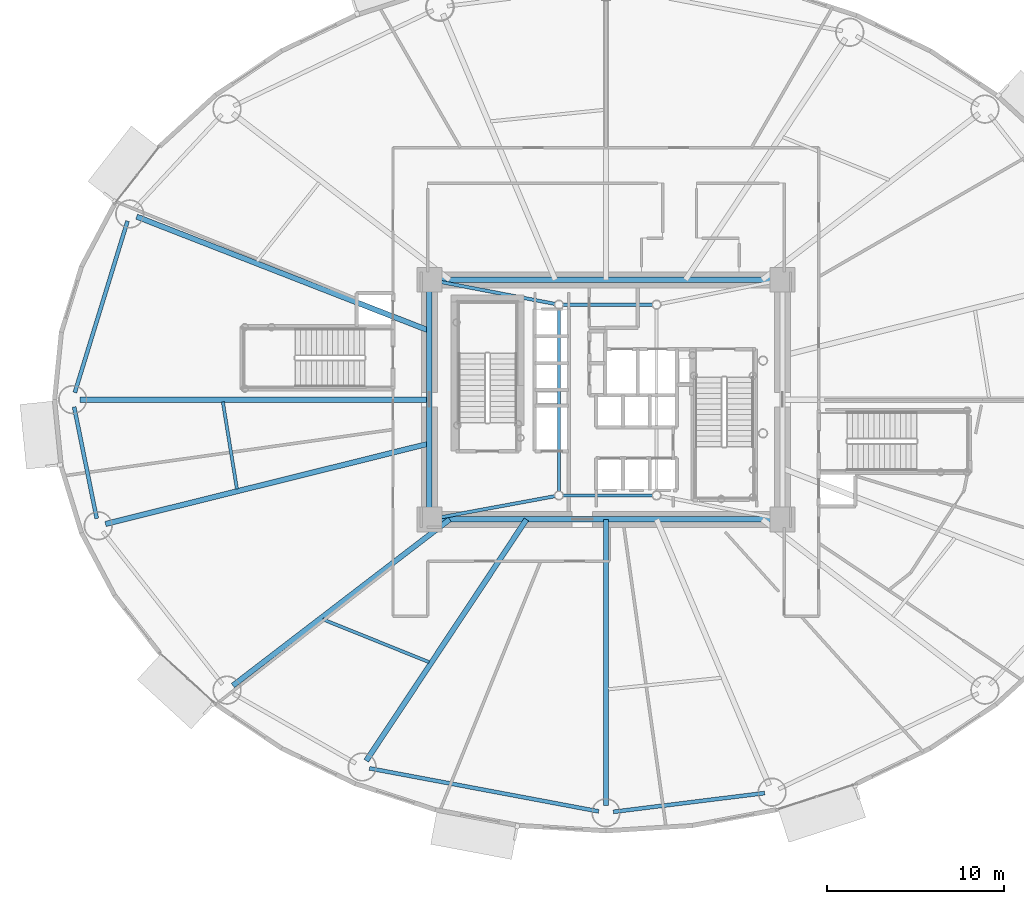
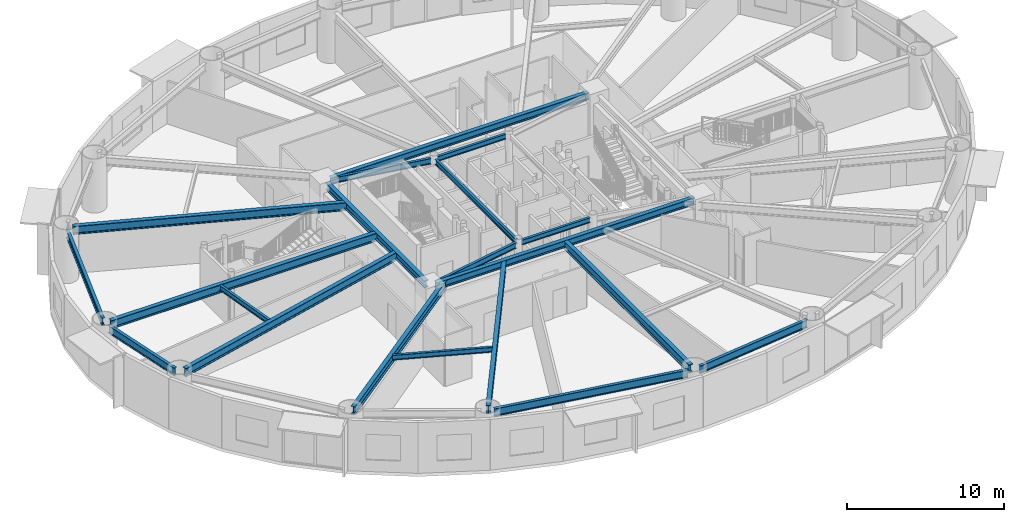
# One storey, part 6 of 32: 20 beams.
"""IFC4 building model written with IfcOpenShell, lengths in metres."""

from ifc_helpers import new_model, si_unit, direction, frame, origin, origin_2d, place, context, subcontext, project, spatial, i_section, extrude, material, material_profile, profile_set, type_object, element, save


model = new_model("IFC4")

# Units and contexts
model_context = context("Model", 3, precision=1e-05, world=origin(), true_north=direction((0.0, 1.0)))
body_context = subcontext(model_context, "Body", "Model", "MODEL_VIEW")
ifc_project = project(units=[si_unit("LENGTHUNIT", "METRE"), si_unit("AREAUNIT", "SQUARE_METRE"), si_unit("VOLUMEUNIT", "CUBIC_METRE"), si_unit("PLANEANGLEUNIT", "RADIAN"), si_unit("MASSUNIT", "GRAM", prefix="KILO")], contexts=[model_context])

# Site, building, storey
site_placement = place(None, origin())
site = spatial("IfcSite", under=ifc_project, at=site_placement, CompositionType="ELEMENT")
building_placement = place(site_placement, origin())
building = spatial("IfcBuilding", under=site, at=building_placement, Name="Linh Dai School and Residence Tower", CompositionType="ELEMENT")
storey_placement = place(building_placement, frame((0.0, 0.0, 40.800048828125)))
storey = spatial("IfcBuildingStorey", under=building, at=storey_placement, Name="L09", CompositionType="ELEMENT", Elevation=40.800048828125)

# Beams
ifc_material = material(Name="Structural Steel S355JR", Category="steel")
ifc_material_profile_1 = material_profile(ifc_material, i_section(OverallWidth=0.219970703125, OverallDepth=0.60009765625, WebThickness=0.011962890625, FlangeThickness=0.01904296875, FilletRadius=0.02392578125, at=origin_2d()), Name="IPE 600")
ifc_profile_set_1 = profile_set([ifc_material_profile_1], Name="Structural Steel S355JR")
beam_type_1 = type_object("IfcBeamType", Name="BM-RB60", PredefinedType="BEAM", material=ifc_profile_set_1)
beam_1_placement = place(storey_placement, frame((9.041259765625, 37.062255859375, 3.64990234375), z_axis=(-0.293673329015, -0.95590584046, 0.0), x_axis=(0.95590584046, -0.293673329015, 0.0)))
element("IfcBeam", 1, at=beam_1_placement, inside=storey, type_object=beam_type_1, Name="L09 Perimeter Elliptical Ring Beam 08", PredefinedType="BEAM", context=body_context, shape_type="SweptSolid", body=[
    extrude(i_section(OverallWidth=0.219970703125, OverallDepth=0.60009765625, WebThickness=0.011962890625, FlangeThickness=0.01904296875, FilletRadius=0.02392578125, at=origin_2d()), origin(), (0.0, 0.0, 1.0), 10.1064453125),
])
beam_2_placement = place(storey_placement, frame((6.033447265625, 26.58837890625, 3.64990234375), z_axis=(0.198429171022, -0.980115230005, 0.0), x_axis=(0.980115230005, 0.198429171022, 0.0)))
element("IfcBeam", 2, at=beam_2_placement, inside=storey, type_object=beam_type_1, Name="L09 Perimeter Elliptical Ring Beam 09", PredefinedType="BEAM", context=body_context, shape_type="SweptSolid", body=[
    extrude(i_section(OverallWidth=0.219970703125, OverallDepth=0.60009765625, WebThickness=0.011962890625, FlangeThickness=0.01904296875, FilletRadius=0.02392578125, at=origin_2d()), origin(), (0.0, 0.0, 1.0), 6.41259765625),
])
beam_3_placement = place(storey_placement, frame((22.67431640625, 6.223388671875, 3.64990234375), z_axis=(0.982808389171, -0.184628465236, 0.0), x_axis=(0.184628465236, 0.982808389171, 0.0)))
element("IfcBeam", 3, at=beam_3_placement, inside=storey, type_object=beam_type_1, Name="L09 Perimeter Elliptical Ring Beam 12", PredefinedType="BEAM", context=body_context, shape_type="SweptSolid", body=[
    extrude(i_section(OverallWidth=0.219970703125, OverallDepth=0.60009765625, WebThickness=0.011962890625, FlangeThickness=0.01904296875, FilletRadius=0.02392578125, at=origin_2d()), origin(), (0.0, 0.0, 1.0), 13.138671875),
])
beam_4_placement = place(storey_placement, frame((36.416748046875, 3.771728515625, 3.64990234375), z_axis=(0.99240113372, 0.123044665842, 0.0), x_axis=(-0.123044665842, 0.99240113372, 0.0)))
element("IfcBeam", 4, at=beam_4_placement, inside=storey, type_object=beam_type_1, Name="L09 Perimeter Elliptical Ring Beam 13", PredefinedType="BEAM", context=body_context, shape_type="SweptSolid", body=[
    extrude(i_section(OverallWidth=0.219970703125, OverallDepth=0.60009765625, WebThickness=0.011962890625, FlangeThickness=0.01904296875, FilletRadius=0.02392578125, at=origin_2d()), origin(), (0.0, 0.0, 1.0), 8.58935546875),
])
ifc_material_profile_2 = material_profile(ifc_material, i_section(OverallWidth=0.300048828125, OverallDepth=0.550048828125, WebThickness=0.014892578125, FlangeThickness=0.029052734375, FilletRadius=0.027099609375, at=origin_2d()), Name="HEB 550")
ifc_profile_set_2 = profile_set([ifc_material_profile_2], Name="Structural Steel S355JR")
beam_type_2 = type_object("IfcBeamType", Name="BM-RG55", PredefinedType="BEAM", material=ifc_profile_set_2)
for number, where, z_axis, x_axis, name in (
    (5, (26.469970703125, 20.25, 3.675048828125), (1.0, 0.0, 0.0), (0.0, 1.0, 0.0), "L09 Core Perimeter Coupling Girder 1"),
    (6, (45.530029296875, 33.75, 3.675048828125), (-1.0, 0.0, 0.0), (0.0, -1.0, 0.0), "L09 Core Perimeter Coupling Girder 3"),
):
    element("IfcBeam", number, at=place(storey_placement, frame(where, z_axis=z_axis, x_axis=x_axis)), inside=storey, type_object=beam_type_2, Name=name, PredefinedType="BEAM", context=body_context, shape_type="SweptSolid", body=[
        extrude(i_section(OverallWidth=0.300048828125, OverallDepth=0.550048828125, WebThickness=0.014892578125, FlangeThickness=0.029052734375, FilletRadius=0.027099609375, at=origin_2d()), origin(), (0.0, 0.0, 1.0), 19.06005859375),
    ])
beam_5_placement = place(storey_placement, frame((26.050048828125, 33.330078125, 3.675048828125), z_axis=(0.0, -1.0, 0.0), x_axis=(1.0, 0.0, 0.0)))
element("IfcBeam", 7, at=beam_5_placement, inside=storey, type_object=beam_type_2, Name="L09 Core Perimeter Coupling Girder 4", PredefinedType="BEAM", context=body_context, shape_type="SweptSolid", body=[
    extrude(i_section(OverallWidth=0.300048828125, OverallDepth=0.550048828125, WebThickness=0.014892578125, FlangeThickness=0.029052734375, FilletRadius=0.027099609375, at=origin_2d()), origin(), (0.0, 0.0, 1.0), 12.66015625),
])
ifc_material_profile_3 = material_profile(ifc_material, i_section(OverallWidth=0.300048828125, OverallDepth=0.64990234375, WebThickness=0.01611328125, FlangeThickness=0.031005859375, FilletRadius=0.027099609375, at=origin_2d()), Name="HEB 650")
ifc_profile_set_3 = profile_set([ifc_material_profile_3], Name="Structural Steel S355JR")
beam_type_3 = type_object("IfcBeamType", Name="BM-RG65", PredefinedType="BEAM", material=ifc_profile_set_3)
beam_6_placement = place(storey_placement, frame((26.050048828125, 30.879638671875, 3.625), z_axis=(-0.93167509369, 0.363292609061, 0.0), x_axis=(-0.363292609061, -0.93167509369, 0.0)))
element("IfcBeam", 8, at=beam_6_placement, inside=storey, type_object=beam_type_3, Name="L09 Primary Radial Floor Girder 08", PredefinedType="BEAM", context=body_context, shape_type="SweptSolid", body=[
    extrude(i_section(OverallWidth=0.300048828125, OverallDepth=0.64990234375, WebThickness=0.01611328125, FlangeThickness=0.031005859375, FilletRadius=0.027099609375, at=origin_2d()), origin(), (0.0, 0.0, 1.0), 17.703857421875),
])
beam_7_placement = place(storey_placement, frame((26.050048828125, 27.0, 3.625), z_axis=(-1.0, 0.0, 0.0), x_axis=(0.0, -1.0, 0.0)))
element("IfcBeam", 9, at=beam_7_placement, inside=storey, type_object=beam_type_3, Name="L09 Primary Radial Floor Girder 09", PredefinedType="BEAM", context=body_context, shape_type="SweptSolid", body=[
    extrude(i_section(OverallWidth=0.300048828125, OverallDepth=0.64990234375, WebThickness=0.01611328125, FlangeThickness=0.031005859375, FilletRadius=0.027099609375, at=origin_2d()), origin(), (0.0, 0.0, 1.0), 19.679931640625),
])
beam_8_placement = place(storey_placement, frame((26.050048828125, 24.52783203125, 3.625), z_axis=(-0.970493481328, -0.241127357843, 0.0), x_axis=(0.241127357843, -0.970493481328, 0.0)))
element("IfcBeam", 10, at=beam_8_placement, inside=storey, type_object=beam_type_3, Name="L09 Primary Radial Floor Girder 10", PredefinedType="BEAM", context=body_context, shape_type="SweptSolid", body=[
    extrude(i_section(OverallWidth=0.300048828125, OverallDepth=0.64990234375, WebThickness=0.01611328125, FlangeThickness=0.031005859375, FilletRadius=0.027099609375, at=origin_2d()), origin(), (0.0, 0.0, 1.0), 18.80810546875),
])
beam_9_placement = place(storey_placement, frame((27.195068359375, 20.25, 3.625), z_axis=(-0.793637764155, -0.608390581212, 0.0), x_axis=(0.608390581212, -0.793637764155, 0.0)))
element("IfcBeam", 11, at=beam_9_placement, inside=storey, type_object=beam_type_3, Name="L09 Primary Radial Floor Girder 11", PredefinedType="BEAM", context=body_context, shape_type="SweptSolid", body=[
    extrude(i_section(OverallWidth=0.300048828125, OverallDepth=0.64990234375, WebThickness=0.01611328125, FlangeThickness=0.031005859375, FilletRadius=0.027099609375, at=origin_2d()), origin(), (0.0, 0.0, 1.0), 15.390625),
])
beam_10_placement = place(storey_placement, frame((31.52001953125, 20.25, 3.625), z_axis=(-0.55300421354, -0.833178456158, 0.0), x_axis=(0.833178456158, -0.55300421354, 0.0)))
element("IfcBeam", 12, at=beam_10_placement, inside=storey, type_object=beam_type_3, Name="L09 Primary Radial Floor Girder 12", PredefinedType="BEAM", context=body_context, shape_type="SweptSolid", body=[
    extrude(i_section(OverallWidth=0.300048828125, OverallDepth=0.64990234375, WebThickness=0.01611328125, FlangeThickness=0.031005859375, FilletRadius=0.027099609375, at=origin_2d()), origin(), (0.0, 0.0, 1.0), 16.322021484375),
])
beam_11_placement = place(storey_placement, frame((36.0, 20.25, 3.625), z_axis=(0.0, -1.0, 0.0), x_axis=(1.0, 0.0, 0.0)))
element("IfcBeam", 13, at=beam_11_placement, inside=storey, type_object=beam_type_3, Name="L09 Primary Radial Floor Girder 13", PredefinedType="BEAM", context=body_context, shape_type="SweptSolid", body=[
    extrude(i_section(OverallWidth=0.300048828125, OverallDepth=0.64990234375, WebThickness=0.01611328125, FlangeThickness=0.031005859375, FilletRadius=0.027099609375, at=origin_2d()), origin(), (0.0, 0.0, 1.0), 16.110107421875),
])
ifc_material_profile_4 = material_profile(ifc_material, i_section(OverallWidth=0.179931640625, OverallDepth=0.39990234375, WebThickness=0.008544921875, FlangeThickness=0.013427734375, FilletRadius=0.02099609375, at=origin_2d()), Name="IPE 400")
ifc_profile_set_4 = profile_set([ifc_material_profile_4], Name="Structural Steel S355JR")
beam_type_4 = type_object("IfcBeamType", Name="BM-SB40", PredefinedType="BEAM", material=ifc_profile_set_4)
for number, where, z_axis, x_axis, name in (
    (14, (33.573974609375, 21.60009765625, 3.75), (1.0, 0.0, 0.0), (0.0, 1.0, 0.0), "L09 Core Mast Pier Tie Beam 1"),
    (15, (38.6259765625, 32.35009765625, 3.75), (-1.0, 0.0, 0.0), (0.0, -1.0, 0.0), "L09 Core Mast Pier Tie Beam 3"),
):
    element("IfcBeam", number, at=place(storey_placement, frame(where, z_axis=z_axis, x_axis=x_axis)), inside=storey, type_object=beam_type_4, Name=name, PredefinedType="BEAM", context=body_context, shape_type="SweptSolid", body=[
        extrude(i_section(OverallWidth=0.179931640625, OverallDepth=0.39990234375, WebThickness=0.008544921875, FlangeThickness=0.013427734375, FilletRadius=0.02099609375, at=origin_2d()), origin(), (0.0, 0.0, 1.0), 5.052001953125),
    ])
beam_12_placement = place(storey_placement, frame((33.35009765625, 32.1259765625, 3.75), z_axis=(0.0, -1.0, 0.0), x_axis=(1.0, 0.0, 0.0)))
element("IfcBeam", 16, at=beam_12_placement, inside=storey, type_object=beam_type_4, Name="L09 Core Mast Pier Tie Beam 4", PredefinedType="BEAM", context=body_context, shape_type="SweptSolid", body=[
    extrude(i_section(OverallWidth=0.179931640625, OverallDepth=0.39990234375, WebThickness=0.008544921875, FlangeThickness=0.013427734375, FilletRadius=0.02099609375, at=origin_2d()), origin(), (0.0, 0.0, 1.0), 10.302001953125),
])
beam_13_placement = place(storey_placement, frame((14.412841796875, 26.87158203125, 3.75), z_axis=(0.159655745546, -0.987172752316, 0.0), x_axis=(0.987172752316, 0.159655745546, 0.0)))
element("IfcBeam", 17, at=beam_13_placement, inside=storey, type_object=beam_type_4, Name="L09 Secondary Circumferential Floor Beam 05", PredefinedType="BEAM", context=body_context, shape_type="SweptSolid", body=[
    extrude(i_section(OverallWidth=0.179931640625, OverallDepth=0.39990234375, WebThickness=0.008544921875, FlangeThickness=0.013427734375, FilletRadius=0.02099609375, at=origin_2d()), origin(), (0.0, 0.0, 1.0), 4.96826171875),
])
beam_14_placement = place(storey_placement, frame((20.037841796875, 14.622314453125, 3.75), z_axis=(0.927532778422, -0.3737418159, 0.0), x_axis=(0.3737418159, 0.927532778422, 0.0)))
element("IfcBeam", 18, at=beam_14_placement, inside=storey, type_object=beam_type_4, Name="L09 Secondary Circumferential Floor Beam 06", PredefinedType="BEAM", context=body_context, shape_type="SweptSolid", body=[
    extrude(i_section(OverallWidth=0.179931640625, OverallDepth=0.39990234375, WebThickness=0.008544921875, FlangeThickness=0.013427734375, FilletRadius=0.02099609375, at=origin_2d()), origin(), (0.0, 0.0, 1.0), 6.459716796875),
])
ifc_material_profile_5 = material_profile(ifc_material, i_section(OverallWidth=0.18994140625, OverallDepth=0.449951171875, WebThickness=0.009521484375, FlangeThickness=0.0146484375, FilletRadius=0.02099609375, at=origin_2d()), Name="IPE 450")
ifc_profile_set_5 = profile_set([ifc_material_profile_5], Name="Structural Steel S355JR")
beam_type_5 = type_object("IfcBeamType", Name="BM-SB45", PredefinedType="BEAM", material=ifc_profile_set_5)
beam_15_placement = place(storey_placement, frame((26.462890625, 20.326416015625, 3.724853515625), z_axis=(0.983326152819, 0.18185070025, 0.0), x_axis=(-0.18185070025, 0.983326152819, 0.0)))
element("IfcBeam", 19, at=beam_15_placement, inside=storey, type_object=beam_type_5, Name="L09 Core Corner-to-Mast Pier Beam 1", PredefinedType="BEAM", context=body_context, shape_type="SweptSolid", body=[
    extrude(i_section(OverallWidth=0.18994140625, OverallDepth=0.449951171875, WebThickness=0.009521484375, FlangeThickness=0.0146484375, FilletRadius=0.02099609375, at=origin_2d()), origin(), (0.0, 0.0, 1.0), 6.77978515625),
])
beam_16_placement = place(storey_placement, frame((26.46240234375, 33.6708984375, 3.724853515625), z_axis=(0.982100456787, -0.188357884832, 0.0), x_axis=(0.188357884832, 0.982100456787, 0.0)))
element("IfcBeam", 20, at=beam_16_placement, inside=storey, type_object=beam_type_5, Name="L09 Core Corner-to-Mast Pier Beam 4", PredefinedType="BEAM", context=body_context, shape_type="SweptSolid", body=[
    extrude(i_section(OverallWidth=0.18994140625, OverallDepth=0.449951171875, WebThickness=0.009521484375, FlangeThickness=0.0146484375, FilletRadius=0.02099609375, at=origin_2d()), origin(), (0.0, 0.0, 1.0), 6.789306640625),
])

save(model, "model.ifc")
